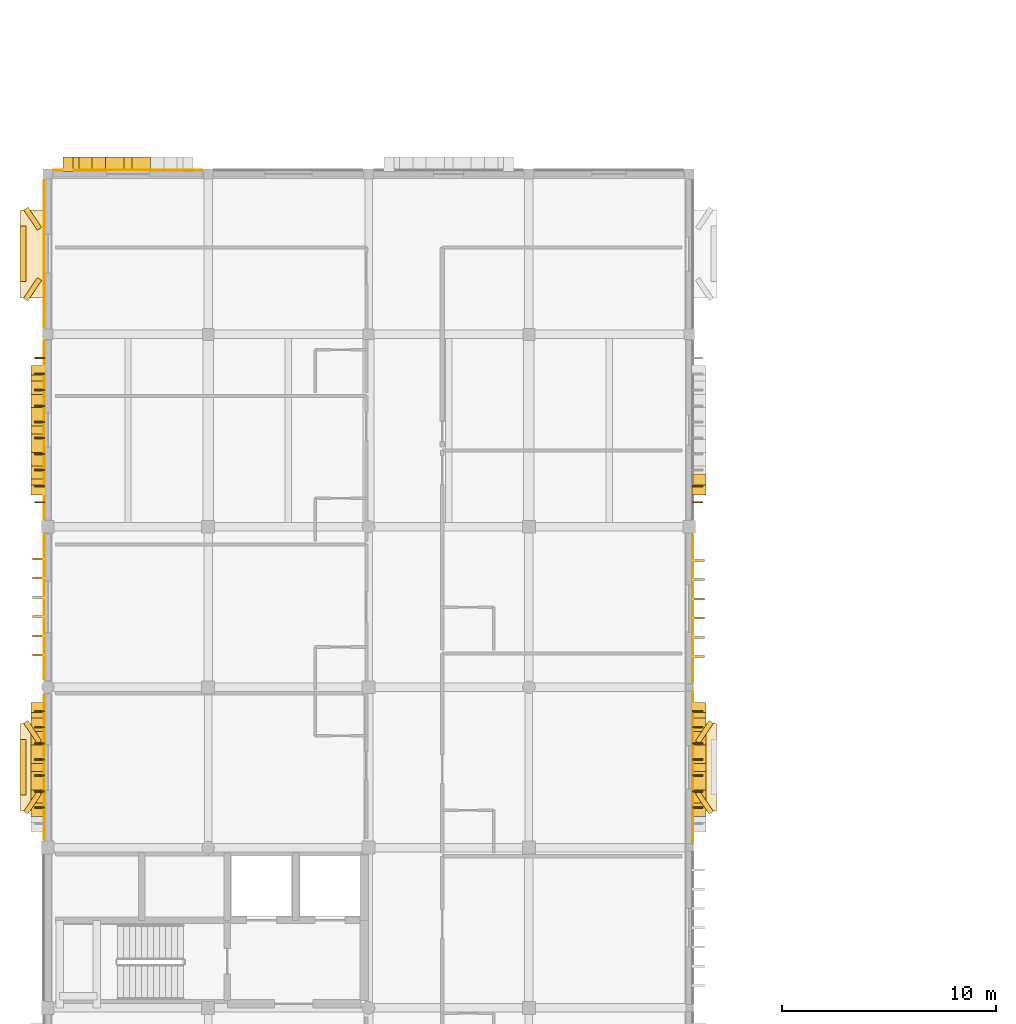
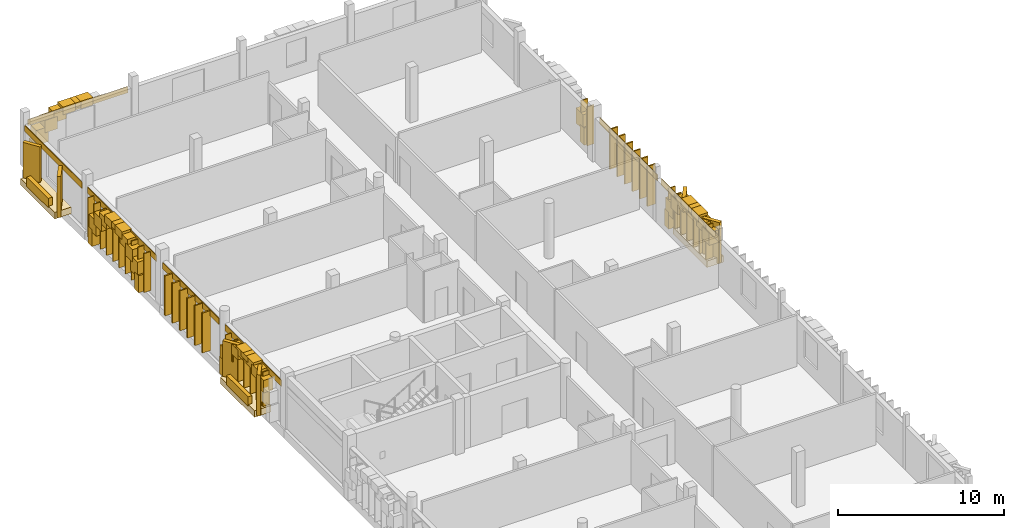
# One storey, part 29 of 33: 68 coverings, 26 shading devices.
"""IFC4 building model written with IfcOpenShell, lengths in metres."""

from ifc_helpers import new_model, si_unit, direction, frame, origin, origin_2d, place, context, subcontext, project, spatial, rectangle, extrude, material, layer, layer_set, type_object, element, save


model = new_model("IFC4")

# Units and contexts
model_context = context("Model", 3, precision=1e-05, world=origin(), true_north=direction((0.0, 1.0)))
body_context = subcontext(model_context, "Body", "Model", "MODEL_VIEW")
ifc_project = project(units=[si_unit("LENGTHUNIT", "METRE"), si_unit("AREAUNIT", "SQUARE_METRE"), si_unit("VOLUMEUNIT", "CUBIC_METRE"), si_unit("PLANEANGLEUNIT", "RADIAN"), si_unit("MASSUNIT", "GRAM", prefix="KILO")], contexts=[model_context])

# Site, building, storey
site_placement = place(None, origin())
site = spatial("IfcSite", under=ifc_project, at=site_placement, CompositionType="ELEMENT")
building_placement = place(site_placement, origin())
building = spatial("IfcBuilding", under=site, at=building_placement, Name="Dalvernix Boulevard General Hospital", CompositionType="ELEMENT")
storey_placement = place(building_placement, frame((0.0, 0.0, 21.89990234375)))
storey = spatial("IfcBuildingStorey", under=building, at=storey_placement, Name="L05", CompositionType="ELEMENT", Elevation=21.89990234375)

# Coverings
ifc_material_1 = material(Name="Pressed Catalan clay brick and dressed limestone parabolic archivolt", Category="masonry")
ifc_layer_1 = layer(ifc_material_1, 0.419921875)
ifc_layer_set_1 = layer_set([ifc_layer_1], Name="Pressed Catalan clay brick and dressed limestone parabolic archivolt (COV-ARC-01)")
covering_type_1 = type_object("IfcCoveringType", Name="COV-ARC-01", PredefinedType="CLADDING", material=ifc_layer_set_1)
covering_1_placement = place(storey_placement, frame((-0.4599609375, 68.050048828125, 0.0), z_axis=(0.0, 0.0, 1.0), x_axis=(0.0, 1.0, 0.0)))
element("IfcCovering", 1, at=covering_1_placement, inside=storey, type_object=covering_type_1, Name="L05 Catalan parabolic arch impost pier W 0-8-R", PredefinedType="CLADDING", context=body_context, shape_type="SweptSolid", body=[
    extrude(rectangle(XDim=0.4599609375, YDim=0.659912109375, at=origin_2d()), origin(), (0.0, 0.0, 1.0), 1.25),
])
covering_2_placement = place(storey_placement, frame((-0.4599609375, 63.38330078125, 1.77099609375), z_axis=(0.0, 0.0, 1.0), x_axis=(0.0, 1.0, 0.0)))
element("IfcCovering", 2, at=covering_2_placement, inside=storey, type_object=covering_type_1, Name="L05 Catalan parabolic archivolt voussoir W 0-8-2", PredefinedType="CLADDING", context=body_context, shape_type="SweptSolid", body=[
    extrude(rectangle(XDim=0.8623046875, YDim=0.659912109375, at=origin_2d()), origin(), (0.0, 0.0, 1.0), 0.913330078125),
])
covering_3_placement = place(storey_placement, frame((-0.4599609375, 64.005615234375, 2.3046875), z_axis=(0.0, 0.0, 1.0), x_axis=(0.0, 1.0, 0.0)))
element("IfcCovering", 3, at=covering_3_placement, inside=storey, type_object=covering_type_1, Name="L05 Catalan parabolic archivolt voussoir W 0-8-3", PredefinedType="CLADDING", context=body_context, shape_type="SweptSolid", body=[
    extrude(rectangle(XDim=0.8623046875, YDim=0.659912109375, at=origin_2d()), origin(), (0.0, 0.0, 1.0), 0.735595703125),
])
covering_4_placement = place(storey_placement, frame((-0.4599609375, 64.627685546875, 2.66015625), z_axis=(0.0, 0.0, 1.0), x_axis=(0.0, 1.0, 0.0)))
element("IfcCovering", 4, at=covering_4_placement, inside=storey, type_object=covering_type_1, Name="L05 Catalan parabolic archivolt voussoir W 0-8-4", PredefinedType="CLADDING", context=body_context, shape_type="SweptSolid", body=[
    extrude(rectangle(XDim=0.8623046875, YDim=0.659912109375, at=origin_2d()), origin(), (0.0, 0.0, 1.0), 0.557861328125),
])
covering_5_placement = place(storey_placement, frame((-0.4599609375, 65.25, 2.837890625), z_axis=(0.0, 0.0, 1.0), x_axis=(0.0, 1.0, 0.0)))
element("IfcCovering", 5, at=covering_5_placement, inside=storey, type_object=covering_type_1, Name="L05 Catalan parabolic archivolt voussoir W 0-8-5", PredefinedType="CLADDING", context=body_context, shape_type="SweptSolid", body=[
    extrude(rectangle(XDim=0.8623046875, YDim=0.659912109375, at=origin_2d()), origin(), (0.0, 0.0, 1.0), 0.3798828125),
])
covering_6_placement = place(storey_placement, frame((-0.4599609375, 65.872314453125, 2.66015625), z_axis=(0.0, 0.0, 1.0), x_axis=(0.0, 1.0, 0.0)))
element("IfcCovering", 6, at=covering_6_placement, inside=storey, type_object=covering_type_1, Name="L05 Catalan parabolic archivolt voussoir W 0-8-6", PredefinedType="CLADDING", context=body_context, shape_type="SweptSolid", body=[
    extrude(rectangle(XDim=0.8623046875, YDim=0.659912109375, at=origin_2d()), origin(), (0.0, 0.0, 1.0), 0.557861328125),
])
covering_7_placement = place(storey_placement, frame((-0.4599609375, 66.494384765625, 2.3046875), z_axis=(0.0, 0.0, 1.0), x_axis=(0.0, 1.0, 0.0)))
element("IfcCovering", 7, at=covering_7_placement, inside=storey, type_object=covering_type_1, Name="L05 Catalan parabolic archivolt voussoir W 0-8-7", PredefinedType="CLADDING", context=body_context, shape_type="SweptSolid", body=[
    extrude(rectangle(XDim=0.8623046875, YDim=0.659912109375, at=origin_2d()), origin(), (0.0, 0.0, 1.0), 0.735595703125),
])
covering_8_placement = place(storey_placement, frame((-0.4599609375, 67.11669921875, 1.77099609375), z_axis=(0.0, 0.0, 1.0), x_axis=(0.0, 1.0, 0.0)))
element("IfcCovering", 8, at=covering_8_placement, inside=storey, type_object=covering_type_1, Name="L05 Catalan parabolic archivolt voussoir W 0-8-8", PredefinedType="CLADDING", context=body_context, shape_type="SweptSolid", body=[
    extrude(rectangle(XDim=0.8623046875, YDim=0.659912109375, at=origin_2d()), origin(), (0.0, 0.0, 1.0), 0.913330078125),
])
covering_9_placement = place(storey_placement, frame((-0.4599609375, 67.739013671875, 1.06005859375), z_axis=(0.0, 0.0, 1.0), x_axis=(0.0, 1.0, 0.0)))
element("IfcCovering", 9, at=covering_9_placement, inside=storey, type_object=covering_type_1, Name="L05 Catalan parabolic archivolt voussoir W 0-8-9", PredefinedType="CLADDING", context=body_context, shape_type="SweptSolid", body=[
    extrude(rectangle(XDim=0.8623046875, YDim=0.659912109375, at=origin_2d()), origin(), (0.0, 0.0, 1.0), 1.091064453125),
])
for number, where, z_axis, x_axis, name in (
    (10, (-0.4599609375, 78.22509765625, 0.0), (0.0, 0.0, 1.0), (0.0, 1.0, 0.0), "L05 Catalan parabolic arch impost pier W 0-10-L"),
    (11, (-0.4599609375, 83.824951171875, 0.0), (0.0, 0.0, 1.0), (0.0, 1.0, 0.0), "L05 Catalan parabolic arch impost pier W 0-10-R"),
):
    element("IfcCovering", number, at=place(storey_placement, frame(where, z_axis=z_axis, x_axis=x_axis)), inside=storey, type_object=covering_type_1, Name=name, PredefinedType="CLADDING", context=body_context, shape_type="SweptSolid", body=[
        extrude(rectangle(XDim=0.4599609375, YDim=0.659912109375, at=origin_2d()), origin(), (0.0, 0.0, 1.0), 1.25),
    ])
covering_10_placement = place(storey_placement, frame((-0.4599609375, 78.5361328125, 1.06005859375), z_axis=(0.0, 0.0, 1.0), x_axis=(0.0, 1.0, 0.0)))
element("IfcCovering", 12, at=covering_10_placement, inside=storey, type_object=covering_type_1, Name="L05 Catalan parabolic archivolt voussoir W 0-10-1", PredefinedType="CLADDING", context=body_context, shape_type="SweptSolid", body=[
    extrude(rectangle(XDim=0.8623046875, YDim=0.659912109375, at=origin_2d()), origin(), (0.0, 0.0, 1.0), 1.11083984375),
])
covering_11_placement = place(storey_placement, frame((-0.4599609375, 79.158203125, 1.791015625), z_axis=(0.0, 0.0, 1.0), x_axis=(0.0, 1.0, 0.0)))
element("IfcCovering", 13, at=covering_11_placement, inside=storey, type_object=covering_type_1, Name="L05 Catalan parabolic archivolt voussoir W 0-10-2", PredefinedType="CLADDING", context=body_context, shape_type="SweptSolid", body=[
    extrude(rectangle(XDim=0.8623046875, YDim=0.659912109375, at=origin_2d()), origin(), (0.0, 0.0, 1.0), 0.927978515625),
])
covering_12_placement = place(storey_placement, frame((-0.4599609375, 79.780517578125, 2.33935546875), z_axis=(0.0, 0.0, 1.0), x_axis=(0.0, 1.0, 0.0)))
element("IfcCovering", 14, at=covering_12_placement, inside=storey, type_object=covering_type_1, Name="L05 Catalan parabolic archivolt voussoir W 0-10-3", PredefinedType="CLADDING", context=body_context, shape_type="SweptSolid", body=[
    extrude(rectangle(XDim=0.8623046875, YDim=0.659912109375, at=origin_2d()), origin(), (0.0, 0.0, 1.0), 0.745361328125),
])
covering_13_placement = place(storey_placement, frame((-0.4599609375, 80.40283203125, 2.70458984375), z_axis=(0.0, 0.0, 1.0), x_axis=(0.0, 1.0, 0.0)))
element("IfcCovering", 15, at=covering_13_placement, inside=storey, type_object=covering_type_1, Name="L05 Catalan parabolic archivolt voussoir W 0-10-4", PredefinedType="CLADDING", context=body_context, shape_type="SweptSolid", body=[
    extrude(rectangle(XDim=0.8623046875, YDim=0.659912109375, at=origin_2d()), origin(), (0.0, 0.0, 1.0), 0.562744140625),
])
covering_14_placement = place(storey_placement, frame((-0.4599609375, 81.02490234375, 2.887451171875), z_axis=(0.0, 0.0, 1.0), x_axis=(0.0, 1.0, 0.0)))
element("IfcCovering", 16, at=covering_14_placement, inside=storey, type_object=covering_type_1, Name="L05 Catalan parabolic archivolt voussoir W 0-10-5", PredefinedType="CLADDING", context=body_context, shape_type="SweptSolid", body=[
    extrude(rectangle(XDim=0.8623046875, YDim=0.659912109375, at=origin_2d()), origin(), (0.0, 0.0, 1.0), 0.3798828125),
])
covering_15_placement = place(storey_placement, frame((-0.4599609375, 81.647216796875, 2.70458984375), z_axis=(0.0, 0.0, 1.0), x_axis=(0.0, 1.0, 0.0)))
element("IfcCovering", 17, at=covering_15_placement, inside=storey, type_object=covering_type_1, Name="L05 Catalan parabolic archivolt voussoir W 0-10-6", PredefinedType="CLADDING", context=body_context, shape_type="SweptSolid", body=[
    extrude(rectangle(XDim=0.8623046875, YDim=0.659912109375, at=origin_2d()), origin(), (0.0, 0.0, 1.0), 0.562744140625),
])
covering_16_placement = place(storey_placement, frame((-0.4599609375, 82.269287109375, 2.33935546875), z_axis=(0.0, 0.0, 1.0), x_axis=(0.0, 1.0, 0.0)))
element("IfcCovering", 18, at=covering_16_placement, inside=storey, type_object=covering_type_1, Name="L05 Catalan parabolic archivolt voussoir W 0-10-7", PredefinedType="CLADDING", context=body_context, shape_type="SweptSolid", body=[
    extrude(rectangle(XDim=0.8623046875, YDim=0.659912109375, at=origin_2d()), origin(), (0.0, 0.0, 1.0), 0.745361328125),
])
covering_17_placement = place(storey_placement, frame((-0.4599609375, 82.8916015625, 1.791015625), z_axis=(0.0, 0.0, 1.0), x_axis=(0.0, 1.0, 0.0)))
element("IfcCovering", 19, at=covering_17_placement, inside=storey, type_object=covering_type_1, Name="L05 Catalan parabolic archivolt voussoir W 0-10-8", PredefinedType="CLADDING", context=body_context, shape_type="SweptSolid", body=[
    extrude(rectangle(XDim=0.8623046875, YDim=0.659912109375, at=origin_2d()), origin(), (0.0, 0.0, 1.0), 0.927978515625),
])
covering_18_placement = place(storey_placement, frame((-0.4599609375, 83.513916015625, 1.06005859375), z_axis=(0.0, 0.0, 1.0), x_axis=(0.0, 1.0, 0.0)))
element("IfcCovering", 20, at=covering_18_placement, inside=storey, type_object=covering_type_1, Name="L05 Catalan parabolic archivolt voussoir W 0-10-9", PredefinedType="CLADDING", context=body_context, shape_type="SweptSolid", body=[
    extrude(rectangle(XDim=0.8623046875, YDim=0.659912109375, at=origin_2d()), origin(), (0.0, 0.0, 1.0), 1.11083984375),
])
covering_19_placement = place(storey_placement, frame((0.949951171875, 93.4599609375, 0.0), z_axis=(0.0, 0.0, 1.0), x_axis=(1.0, 0.0, 0.0)))
element("IfcCovering", 21, at=covering_19_placement, inside=storey, type_object=covering_type_1, Name="L05 Catalan parabolic arch impost pier N 0-12-L", PredefinedType="CLADDING", context=body_context, shape_type="SweptSolid", body=[
    extrude(rectangle(XDim=0.4599609375, YDim=0.659912109375, at=origin_2d()), origin(), (0.0, 0.0, 1.0), 1.25),
])
covering_20_placement = place(storey_placement, frame((1.260986328125, 93.4599609375, 1.06005859375), z_axis=(0.0, 0.0, 1.0), x_axis=(1.0, 0.0, 0.0)))
element("IfcCovering", 22, at=covering_20_placement, inside=storey, type_object=covering_type_1, Name="L05 Catalan parabolic archivolt voussoir N 0-12-1", PredefinedType="CLADDING", context=body_context, shape_type="SweptSolid", body=[
    extrude(rectangle(XDim=0.8623046875, YDim=0.659912109375, at=origin_2d()), origin(), (0.0, 0.0, 1.0), 1.091064453125),
])
covering_21_placement = place(storey_placement, frame((1.88330078125, 93.4599609375, 1.77099609375), z_axis=(0.0, 0.0, 1.0), x_axis=(1.0, 0.0, 0.0)))
element("IfcCovering", 23, at=covering_21_placement, inside=storey, type_object=covering_type_1, Name="L05 Catalan parabolic archivolt voussoir N 0-12-2", PredefinedType="CLADDING", context=body_context, shape_type="SweptSolid", body=[
    extrude(rectangle(XDim=0.8623046875, YDim=0.659912109375, at=origin_2d()), origin(), (0.0, 0.0, 1.0), 0.913330078125),
])
covering_22_placement = place(storey_placement, frame((2.505615234375, 93.4599609375, 2.3046875), z_axis=(0.0, 0.0, 1.0), x_axis=(1.0, 0.0, 0.0)))
element("IfcCovering", 24, at=covering_22_placement, inside=storey, type_object=covering_type_1, Name="L05 Catalan parabolic archivolt voussoir N 0-12-3", PredefinedType="CLADDING", context=body_context, shape_type="SweptSolid", body=[
    extrude(rectangle(XDim=0.8623046875, YDim=0.659912109375, at=origin_2d()), origin(), (0.0, 0.0, 1.0), 0.735595703125),
])
covering_23_placement = place(storey_placement, frame((3.127685546875, 93.4599609375, 2.66015625), z_axis=(0.0, 0.0, 1.0), x_axis=(1.0, 0.0, 0.0)))
element("IfcCovering", 25, at=covering_23_placement, inside=storey, type_object=covering_type_1, Name="L05 Catalan parabolic archivolt voussoir N 0-12-4", PredefinedType="CLADDING", context=body_context, shape_type="SweptSolid", body=[
    extrude(rectangle(XDim=0.8623046875, YDim=0.659912109375, at=origin_2d()), origin(), (0.0, 0.0, 1.0), 0.557861328125),
])
covering_24_placement = place(storey_placement, frame((3.75, 93.4599609375, 2.837890625), z_axis=(0.0, 0.0, 1.0), x_axis=(1.0, 0.0, 0.0)))
element("IfcCovering", 26, at=covering_24_placement, inside=storey, type_object=covering_type_1, Name="L05 Catalan parabolic archivolt voussoir N 0-12-5", PredefinedType="CLADDING", context=body_context, shape_type="SweptSolid", body=[
    extrude(rectangle(XDim=0.8623046875, YDim=0.659912109375, at=origin_2d()), origin(), (0.0, 0.0, 1.0), 0.3798828125),
])
covering_25_placement = place(storey_placement, frame((4.372314453125, 93.4599609375, 2.66015625), z_axis=(0.0, 0.0, 1.0), x_axis=(1.0, 0.0, 0.0)))
element("IfcCovering", 27, at=covering_25_placement, inside=storey, type_object=covering_type_1, Name="L05 Catalan parabolic archivolt voussoir N 0-12-6", PredefinedType="CLADDING", context=body_context, shape_type="SweptSolid", body=[
    extrude(rectangle(XDim=0.8623046875, YDim=0.659912109375, at=origin_2d()), origin(), (0.0, 0.0, 1.0), 0.557861328125),
])
covering_26_placement = place(storey_placement, frame((30.4599609375, 68.050048828125, 0.0), z_axis=(0.0, 0.0, 1.0), x_axis=(0.0, -1.0, 0.0)))
element("IfcCovering", 28, at=covering_26_placement, inside=storey, type_object=covering_type_1, Name="L05 Catalan parabolic arch impost pier E 4-8-L", PredefinedType="CLADDING", context=body_context, shape_type="SweptSolid", body=[
    extrude(rectangle(XDim=0.4599609375, YDim=0.659912109375, at=origin_2d()), origin(), (0.0, 0.0, 1.0), 1.25),
])
covering_27_placement = place(storey_placement, frame((30.4599609375, 67.739013671875, 1.06005859375), z_axis=(0.0, 0.0, 1.0), x_axis=(0.0, -1.0, 0.0)))
element("IfcCovering", 29, at=covering_27_placement, inside=storey, type_object=covering_type_1, Name="L05 Catalan parabolic archivolt voussoir E 4-8-1", PredefinedType="CLADDING", context=body_context, shape_type="SweptSolid", body=[
    extrude(rectangle(XDim=0.8623046875, YDim=0.659912109375, at=origin_2d()), origin(), (0.0, 0.0, 1.0), 1.091064453125),
])
covering_28_placement = place(storey_placement, frame((30.4599609375, 67.11669921875, 1.77099609375), z_axis=(0.0, 0.0, 1.0), x_axis=(0.0, -1.0, 0.0)))
element("IfcCovering", 30, at=covering_28_placement, inside=storey, type_object=covering_type_1, Name="L05 Catalan parabolic archivolt voussoir E 4-8-2", PredefinedType="CLADDING", context=body_context, shape_type="SweptSolid", body=[
    extrude(rectangle(XDim=0.8623046875, YDim=0.659912109375, at=origin_2d()), origin(), (0.0, 0.0, 1.0), 0.913330078125),
])
covering_29_placement = place(storey_placement, frame((30.4599609375, 66.494384765625, 2.3046875), z_axis=(0.0, 0.0, 1.0), x_axis=(0.0, -1.0, 0.0)))
element("IfcCovering", 31, at=covering_29_placement, inside=storey, type_object=covering_type_1, Name="L05 Catalan parabolic archivolt voussoir E 4-8-3", PredefinedType="CLADDING", context=body_context, shape_type="SweptSolid", body=[
    extrude(rectangle(XDim=0.8623046875, YDim=0.659912109375, at=origin_2d()), origin(), (0.0, 0.0, 1.0), 0.735595703125),
])
covering_30_placement = place(storey_placement, frame((30.4599609375, 65.872314453125, 2.66015625), z_axis=(0.0, 0.0, 1.0), x_axis=(0.0, -1.0, 0.0)))
element("IfcCovering", 32, at=covering_30_placement, inside=storey, type_object=covering_type_1, Name="L05 Catalan parabolic archivolt voussoir E 4-8-4", PredefinedType="CLADDING", context=body_context, shape_type="SweptSolid", body=[
    extrude(rectangle(XDim=0.8623046875, YDim=0.659912109375, at=origin_2d()), origin(), (0.0, 0.0, 1.0), 0.557861328125),
])
covering_31_placement = place(storey_placement, frame((30.4599609375, 65.25, 2.837890625), z_axis=(0.0, 0.0, 1.0), x_axis=(0.0, -1.0, 0.0)))
element("IfcCovering", 33, at=covering_31_placement, inside=storey, type_object=covering_type_1, Name="L05 Catalan parabolic archivolt voussoir E 4-8-5", PredefinedType="CLADDING", context=body_context, shape_type="SweptSolid", body=[
    extrude(rectangle(XDim=0.8623046875, YDim=0.659912109375, at=origin_2d()), origin(), (0.0, 0.0, 1.0), 0.3798828125),
])
covering_32_placement = place(storey_placement, frame((30.4599609375, 64.627685546875, 2.66015625), z_axis=(0.0, 0.0, 1.0), x_axis=(0.0, -1.0, 0.0)))
element("IfcCovering", 34, at=covering_32_placement, inside=storey, type_object=covering_type_1, Name="L05 Catalan parabolic archivolt voussoir E 4-8-6", PredefinedType="CLADDING", context=body_context, shape_type="SweptSolid", body=[
    extrude(rectangle(XDim=0.8623046875, YDim=0.659912109375, at=origin_2d()), origin(), (0.0, 0.0, 1.0), 0.557861328125),
])
covering_33_placement = place(storey_placement, frame((30.4599609375, 64.005615234375, 2.3046875), z_axis=(0.0, 0.0, 1.0), x_axis=(0.0, -1.0, 0.0)))
element("IfcCovering", 35, at=covering_33_placement, inside=storey, type_object=covering_type_1, Name="L05 Catalan parabolic archivolt voussoir E 4-8-7", PredefinedType="CLADDING", context=body_context, shape_type="SweptSolid", body=[
    extrude(rectangle(XDim=0.8623046875, YDim=0.659912109375, at=origin_2d()), origin(), (0.0, 0.0, 1.0), 0.735595703125),
])
covering_34_placement = place(storey_placement, frame((30.4599609375, 63.38330078125, 1.77099609375), z_axis=(0.0, 0.0, 1.0), x_axis=(0.0, -1.0, 0.0)))
element("IfcCovering", 36, at=covering_34_placement, inside=storey, type_object=covering_type_1, Name="L05 Catalan parabolic archivolt voussoir E 4-8-8", PredefinedType="CLADDING", context=body_context, shape_type="SweptSolid", body=[
    extrude(rectangle(XDim=0.8623046875, YDim=0.659912109375, at=origin_2d()), origin(), (0.0, 0.0, 1.0), 0.913330078125),
])
covering_35_placement = place(storey_placement, frame((30.4599609375, 78.22509765625, 0.0), z_axis=(0.0, 0.0, 1.0), x_axis=(0.0, -1.0, 0.0)))
element("IfcCovering", 37, at=covering_35_placement, inside=storey, type_object=covering_type_1, Name="L05 Catalan parabolic arch impost pier E 4-10-R", PredefinedType="CLADDING", context=body_context, shape_type="SweptSolid", body=[
    extrude(rectangle(XDim=0.4599609375, YDim=0.659912109375, at=origin_2d()), origin(), (0.0, 0.0, 1.0), 1.25),
])
covering_36_placement = place(storey_placement, frame((30.4599609375, 78.5361328125, 1.06005859375), z_axis=(0.0, 0.0, 1.0), x_axis=(0.0, -1.0, 0.0)))
element("IfcCovering", 38, at=covering_36_placement, inside=storey, type_object=covering_type_1, Name="L05 Catalan parabolic archivolt voussoir E 4-10-9", PredefinedType="CLADDING", context=body_context, shape_type="SweptSolid", body=[
    extrude(rectangle(XDim=0.8623046875, YDim=0.659912109375, at=origin_2d()), origin(), (0.0, 0.0, 1.0), 1.11083984375),
])
ifc_material_2 = material(Name="Polychrome glazed Catalan trencadis ceramic faceted bay spandrel")
ifc_layer_2 = layer(ifc_material_2, 0.280029296875)
ifc_layer_set_2 = layer_set([ifc_layer_2], Name="Polychrome glazed Catalan trencadis ceramic faceted bay spandrel (COV-BAY-01)")
covering_type_2 = type_object("IfcCoveringType", Name="COV-BAY-01", PredefinedType="CLADDING", material=ifc_layer_set_2)
covering_37_placement = place(storey_placement, frame((-1.159912109375, 65.25, 0.38037109375), z_axis=(0.0, 0.0, 1.0), x_axis=(0.0, 1.0, 0.0)))
element("IfcCovering", 39, at=covering_37_placement, inside=storey, type_object=covering_type_2, Name="L05 projecting faceted trencadis bay spandrel W 0-8", PredefinedType="CLADDING", context=body_context, shape_type="SweptSolid", body=[
    extrude(rectangle(XDim=2.60009765625, YDim=0.280029296875, at=origin_2d()), origin(), (0.0, 0.0, 1.0), 0.679931640625),
])
for number, where, z_axis, x_axis, name in (
    (40, (-0.7099609375, 63.60009765625, 0.080078125), (0.0, 0.0, 1.0), (0.559192903471, 0.829037572555, 0.0), "L05 projecting faceted Catalan bay cheek W 0-8-L"),
    (41, (-0.7099609375, 66.89990234375, 0.080078125), (0.0, 0.0, 1.0), (-0.559192903471, 0.829037572555, 0.0), "L05 projecting faceted Catalan bay cheek W 0-8-R"),
):
    element("IfcCovering", number, at=place(storey_placement, frame(where, z_axis=z_axis, x_axis=x_axis)), inside=storey, type_object=covering_type_2, Name=name, PredefinedType="CLADDING", context=body_context, shape_type="SweptSolid", body=[
        extrude(rectangle(XDim=1.14990234375, YDim=0.239990234375, at=origin_2d()), origin(), (0.0, 0.0, 1.0), 3.010009765625),
    ])
covering_38_placement = place(storey_placement, frame((-1.159912109375, 89.262451171875, 0.38037109375), z_axis=(0.0, 0.0, 1.0), x_axis=(0.0, 1.0, 0.0)))
element("IfcCovering", 42, at=covering_38_placement, inside=storey, type_object=covering_type_2, Name="L05 projecting faceted trencadis bay spandrel W 0-11", PredefinedType="CLADDING", context=body_context, shape_type="SweptSolid", body=[
    extrude(rectangle(XDim=2.60009765625, YDim=0.280029296875, at=origin_2d()), origin(), (0.0, 0.0, 1.0), 0.679931640625),
])
for number, where, z_axis, x_axis, name in (
    (43, (-0.7099609375, 87.612548828125, 0.080078125), (0.0, 0.0, 1.0), (0.559192903471, 0.829037572555, 0.0), "L05 projecting faceted Catalan bay cheek W 0-11-L"),
    (44, (-0.7099609375, 90.91259765625, 0.080078125), (0.0, 0.0, 1.0), (-0.559192903471, 0.829037572555, 0.0), "L05 projecting faceted Catalan bay cheek W 0-11-R"),
    (45, (30.7099609375, 66.89990234375, 0.080078125), (0.0, 0.0, 1.0), (-0.559192903471, -0.829037572555, 0.0), "L05 projecting faceted Catalan bay cheek E 4-8-L"),
    (46, (30.7099609375, 63.60009765625, 0.080078125), (0.0, 0.0, 1.0), (0.559192903471, -0.829037572555, 0.0), "L05 projecting faceted Catalan bay cheek E 4-8-R"),
):
    element("IfcCovering", number, at=place(storey_placement, frame(where, z_axis=z_axis, x_axis=x_axis)), inside=storey, type_object=covering_type_2, Name=name, PredefinedType="CLADDING", context=body_context, shape_type="SweptSolid", body=[
        extrude(rectangle(XDim=1.14990234375, YDim=0.239990234375, at=origin_2d()), origin(), (0.0, 0.0, 1.0), 3.010009765625),
    ])
ifc_material_3 = material(Name="Polychrome Catalan glazed ceramic spandrel tile panel")
ifc_layer_3 = layer(ifc_material_3, 0.044921875)
ifc_layer_set_3 = layer_set([ifc_layer_3], Name="Polychrome Catalan glazed ceramic spandrel tile panel (COV-CLD-01)")
covering_type_3 = type_object("IfcCoveringType", Name="COV-CLD-01", PredefinedType="CLADDING", material=ifc_layer_set_3)
for number, where, z_axis, x_axis, name in (
    (47, (-0.169921875, 65.25, 2.6953125), (0.0, 0.0, 1.0), (0.0, 1.0, 0.0), "L05 polychrome ceramic spandrel W 0-8"),
    (48, (-0.169921875, 72.75, 2.6953125), (0.0, 0.0, 1.0), (0.0, 1.0, 0.0), "L05 polychrome ceramic spandrel W 0-9"),
):
    element("IfcCovering", number, at=place(storey_placement, frame(where, z_axis=z_axis, x_axis=x_axis)), inside=storey, type_object=covering_type_3, Name=name, PredefinedType="CLADDING", context=body_context, shape_type="SweptSolid", body=[
        extrude(rectangle(XDim=6.780029296875, YDim=0.044921875, at=origin_2d()), origin(), (0.0, 0.0, 1.0), 0.449951171875),
    ])
covering_39_placement = place(storey_placement, frame((-0.169921875, 81.02490234375, 2.7451171875), z_axis=(0.0, 0.0, 1.0), x_axis=(0.0, 1.0, 0.0)))
element("IfcCovering", 49, at=covering_39_placement, inside=storey, type_object=covering_type_3, Name="L05 polychrome ceramic spandrel W 0-10", PredefinedType="CLADDING", context=body_context, shape_type="SweptSolid", body=[
    extrude(rectangle(XDim=8.330078125, YDim=0.044921875, at=origin_2d()), origin(), (0.0, 0.0, 1.0), 0.449951171875),
])
covering_40_placement = place(storey_placement, frame((3.75, 93.169921875, 2.6953125), z_axis=(0.0, 0.0, 1.0), x_axis=(1.0, 0.0, 0.0)))
element("IfcCovering", 50, at=covering_40_placement, inside=storey, type_object=covering_type_3, Name="L05 polychrome ceramic spandrel N 0-12", PredefinedType="CLADDING", context=body_context, shape_type="SweptSolid", body=[
    extrude(rectangle(XDim=6.929931640625, YDim=0.044921875, at=origin_2d()), origin(), (0.0, 0.0, 1.0), 0.449951171875),
])
covering_41_placement = place(storey_placement, frame((-0.169921875, 89.262451171875, 2.6953125), z_axis=(0.0, 0.0, 1.0), x_axis=(0.0, 1.0, 0.0)))
element("IfcCovering", 51, at=covering_41_placement, inside=storey, type_object=covering_type_3, Name="L05 polychrome ceramic spandrel W 0-11", PredefinedType="CLADDING", context=body_context, shape_type="SweptSolid", body=[
    extrude(rectangle(XDim=6.905029296875, YDim=0.044921875, at=origin_2d()), origin(), (0.0, 0.0, 1.0), 0.449951171875),
])
covering_42_placement = place(storey_placement, frame((30.169921875, 65.25, 2.6953125), z_axis=(0.0, 0.0, 1.0), x_axis=(0.0, -1.0, 0.0)))
element("IfcCovering", 52, at=covering_42_placement, inside=storey, type_object=covering_type_3, Name="L05 polychrome ceramic spandrel E 4-8", PredefinedType="CLADDING", context=body_context, shape_type="SweptSolid", body=[
    extrude(rectangle(XDim=7.06005859375, YDim=0.044921875, at=origin_2d()), origin(), (0.0, 0.0, 1.0), 0.449951171875),
])
covering_43_placement = place(storey_placement, frame((30.169921875, 72.679931640625, 2.6953125), z_axis=(0.0, 0.0, 1.0), x_axis=(0.0, -1.0, 0.0)))
element("IfcCovering", 53, at=covering_43_placement, inside=storey, type_object=covering_type_3, Name="L05 polychrome ceramic spandrel E 4-9", PredefinedType="CLADDING", context=body_context, shape_type="SweptSolid", body=[
    extrude(rectangle(XDim=6.919921875, YDim=0.044921875, at=origin_2d()), origin(), (0.0, 0.0, 1.0), 0.449951171875),
])
ifc_material_4 = material(Name="Dressed ochre limestone classical plinth, stringcourse and corbelled cornice", Category="masonry")
ifc_layer_4 = layer(ifc_material_4, 0.449951171875)
ifc_layer_set_4 = layer_set([ifc_layer_4], Name="Dressed ochre limestone classical plinth, stringcourse and corbelled cornice (COV-CRN-01)")
covering_type_4 = type_object("IfcCoveringType", Name="COV-CRN-01", PredefinedType="CLADDING", material=ifc_layer_set_4)
for number, where, z_axis, x_axis, name in (
    (54, (-0.705078125, 65.25, 0.0), (0.0, 0.0, 1.0), (0.0, 1.0, 0.0), "L05 projecting Catalan bay corbel base W 0-8"),
    (55, (-0.705078125, 89.262451171875, 0.0), (0.0, 0.0, 1.0), (0.0, 1.0, 0.0), "L05 projecting Catalan bay corbel base W 0-11"),
    (56, (30.705078125, 65.25, 0.0), (0.0, 0.0, 1.0), (0.0, -1.0, 0.0), "L05 projecting Catalan bay corbel base E 4-8"),
):
    element("IfcCovering", number, at=place(storey_placement, frame(where, z_axis=z_axis, x_axis=x_axis)), inside=storey, type_object=covering_type_4, Name=name, PredefinedType="CLADDING", context=body_context, shape_type="SweptSolid", body=[
        extrude(rectangle(XDim=4.10009765625, YDim=1.14990234375, at=origin_2d()), origin(), (0.0, 0.0, 1.0), 0.47998046875),
    ])
ifc_material_5 = material(Name="Terracotta-clad iroko timber brise-soleil sun-breaker fin", Category="masonry")
ifc_layer_5 = layer(ifc_material_5, 0.10009765625)
ifc_layer_set_5 = layer_set([ifc_layer_5], Name="Terracotta-clad iroko timber brise-soleil sun-breaker fin (COV-FIN-02)")
covering_type_5 = type_object("IfcCoveringType", Name="COV-FIN-02", PredefinedType="CLADDING", material=ifc_layer_set_5)
for number, where, z_axis, x_axis, name in (
    (57, (-0.419921875, 70.5, 0.1201171875), (0.0, 0.0, 1.0), (0.0, 1.0, 0.0), "L05 terracotta brise-soleil fin W 0-9-1"),
    (58, (-0.419921875, 71.39990234375, 0.1201171875), (0.0, 0.0, 1.0), (0.0, 1.0, 0.0), "L05 terracotta brise-soleil fin W 0-9-2"),
    (59, (-0.419921875, 72.300048828125, 0.1201171875), (0.0, 0.0, 1.0), (0.0, 1.0, 0.0), "L05 terracotta brise-soleil fin W 0-9-3"),
    (60, (-0.419921875, 73.199951171875, 0.1201171875), (0.0, 0.0, 1.0), (0.0, 1.0, 0.0), "L05 terracotta brise-soleil fin W 0-9-4"),
    (61, (-0.419921875, 74.10009765625, 0.1201171875), (0.0, 0.0, 1.0), (0.0, 1.0, 0.0), "L05 terracotta brise-soleil fin W 0-9-5"),
    (62, (-0.419921875, 75.0, 0.1201171875), (0.0, 0.0, 1.0), (0.0, 1.0, 0.0), "L05 terracotta brise-soleil fin W 0-9-6"),
    (63, (30.419921875, 74.929931640625, 0.1201171875), (0.0, 0.0, 1.0), (0.0, -1.0, 0.0), "L05 terracotta brise-soleil fin E 4-9-1"),
    (64, (30.419921875, 74.030029296875, 0.1201171875), (0.0, 0.0, 1.0), (0.0, -1.0, 0.0), "L05 terracotta brise-soleil fin E 4-9-2"),
    (65, (30.419921875, 73.1298828125, 0.1201171875), (0.0, 0.0, 1.0), (0.0, -1.0, 0.0), "L05 terracotta brise-soleil fin E 4-9-3"),
    (66, (30.419921875, 72.22998046875, 0.1201171875), (0.0, 0.0, 1.0), (0.0, -1.0, 0.0), "L05 terracotta brise-soleil fin E 4-9-4"),
    (67, (30.419921875, 71.330078125, 0.1201171875), (0.0, 0.0, 1.0), (0.0, -1.0, 0.0), "L05 terracotta brise-soleil fin E 4-9-5"),
    (68, (30.419921875, 70.429931640625, 0.1201171875), (0.0, 0.0, 1.0), (0.0, -1.0, 0.0), "L05 terracotta brise-soleil fin E 4-9-6"),
):
    element("IfcCovering", number, at=place(storey_placement, frame(where, z_axis=z_axis, x_axis=x_axis)), inside=storey, type_object=covering_type_5, Name=name, PredefinedType="CLADDING", context=body_context, shape_type="SweptSolid", body=[
        extrude(rectangle(XDim=0.10009765625, YDim=0.580078125, at=origin_2d()), origin(), (0.0, 0.0, 1.0), 2.929931640625),
    ])

# Shading devices
ifc_material_6 = material(Name="Preservative-treated West African iroko timber", Category="wood")
shading_device_type = type_object("IfcShadingDeviceType", Name="SHD-FIN-01", PredefinedType="USERDEFINED", material=ifc_material_6)
for number, where, z_axis, x_axis, name in (
    (69, (-0.3798828125, 63.375, 0.17529296875), (0.0, 0.0, 1.0), (0.0, 1.0, 0.0), "L05 iroko brise-soleil fin 2"),
    (70, (-0.3798828125, 64.125, 0.17529296875), (0.0, 0.0, 1.0), (0.0, 1.0, 0.0), "L05 iroko brise-soleil fin 3"),
    (71, (-0.3798828125, 64.875, 0.17529296875), (0.0, 0.0, 1.0), (0.0, 1.0, 0.0), "L05 iroko brise-soleil fin 4"),
    (72, (-0.3798828125, 65.625, 0.17529296875), (0.0, 0.0, 1.0), (0.0, 1.0, 0.0), "L05 iroko brise-soleil fin 5"),
    (73, (-0.3798828125, 66.375, 0.17529296875), (0.0, 0.0, 1.0), (0.0, 1.0, 0.0), "L05 iroko brise-soleil fin 6"),
    (74, (-0.3798828125, 67.125, 0.17529296875), (0.0, 0.0, 1.0), (0.0, 1.0, 0.0), "L05 iroko brise-soleil fin 7"),
    (75, (-0.3798828125, 67.875, 0.17529296875), (0.0, 0.0, 1.0), (0.0, 1.0, 0.0), "L05 iroko brise-soleil fin 8"),
):
    element("IfcShadingDevice", number, at=place(storey_placement, frame(where, z_axis=z_axis, x_axis=x_axis)), inside=storey, type_object=shading_device_type, Name=name, ObjectType="FIN", PredefinedType="USERDEFINED", context=body_context, shape_type="SweptSolid", body=[
        extrude(rectangle(XDim=0.06494140625, YDim=0.47998046875, at=origin_2d()), origin(), (0.0, 0.0, 1.0), 2.820068359375),
    ])
for number, where, z_axis, x_axis, name in (
    (76, (-0.3798828125, 77.64990234375, 0.175048828125), (0.0, 0.0, 1.0), (0.0, 1.0, 0.0), "L05 iroko brise-soleil fin 1"),
    (77, (-0.3798828125, 78.39990234375, 0.175048828125), (0.0, 0.0, 1.0), (0.0, 1.0, 0.0), "L05 iroko brise-soleil fin 2"),
    (78, (-0.3798828125, 79.14990234375, 0.175048828125), (0.0, 0.0, 1.0), (0.0, 1.0, 0.0), "L05 iroko brise-soleil fin 3"),
    (79, (-0.3798828125, 79.89990234375, 0.175048828125), (0.0, 0.0, 1.0), (0.0, 1.0, 0.0), "L05 iroko brise-soleil fin 4"),
    (80, (-0.3798828125, 80.64990234375, 0.175048828125), (0.0, 0.0, 1.0), (0.0, 1.0, 0.0), "L05 iroko brise-soleil fin 5"),
    (81, (-0.3798828125, 81.39990234375, 0.175048828125), (0.0, 0.0, 1.0), (0.0, 1.0, 0.0), "L05 iroko brise-soleil fin 6"),
    (82, (-0.3798828125, 82.14990234375, 0.175048828125), (0.0, 0.0, 1.0), (0.0, 1.0, 0.0), "L05 iroko brise-soleil fin 7"),
    (83, (-0.3798828125, 82.89990234375, 0.175048828125), (0.0, 0.0, 1.0), (0.0, 1.0, 0.0), "L05 iroko brise-soleil fin 8"),
    (84, (-0.3798828125, 83.64990234375, 0.175048828125), (0.0, 0.0, 1.0), (0.0, 1.0, 0.0), "L05 iroko brise-soleil fin 9"),
    (85, (-0.3798828125, 84.39990234375, 0.175048828125), (0.0, 0.0, 1.0), (0.0, 1.0, 0.0), "L05 iroko brise-soleil fin 10"),
):
    element("IfcShadingDevice", number, at=place(storey_placement, frame(where, z_axis=z_axis, x_axis=x_axis)), inside=storey, type_object=shading_device_type, Name=name, ObjectType="FIN", PredefinedType="USERDEFINED", context=body_context, shape_type="SweptSolid", body=[
        extrude(rectangle(XDim=0.06494140625, YDim=0.47998046875, at=origin_2d()), origin(), (0.0, 0.0, 1.0), 2.8701171875),
    ])
for number, where, z_axis, x_axis, name in (
    (86, (30.3798828125, 67.875, 0.17529296875), (0.0, 0.0, 1.0), (0.0, -1.0, 0.0), "L05 iroko brise-soleil fin 1"),
    (87, (30.3798828125, 67.125, 0.17529296875), (0.0, 0.0, 1.0), (0.0, -1.0, 0.0), "L05 iroko brise-soleil fin 2"),
    (88, (30.3798828125, 66.375, 0.17529296875), (0.0, 0.0, 1.0), (0.0, -1.0, 0.0), "L05 iroko brise-soleil fin 3"),
    (89, (30.3798828125, 65.625, 0.17529296875), (0.0, 0.0, 1.0), (0.0, -1.0, 0.0), "L05 iroko brise-soleil fin 4"),
    (90, (30.3798828125, 64.875, 0.17529296875), (0.0, 0.0, 1.0), (0.0, -1.0, 0.0), "L05 iroko brise-soleil fin 5"),
    (91, (30.3798828125, 64.125, 0.17529296875), (0.0, 0.0, 1.0), (0.0, -1.0, 0.0), "L05 iroko brise-soleil fin 6"),
    (92, (30.3798828125, 63.375, 0.17529296875), (0.0, 0.0, 1.0), (0.0, -1.0, 0.0), "L05 iroko brise-soleil fin 7"),
):
    element("IfcShadingDevice", number, at=place(storey_placement, frame(where, z_axis=z_axis, x_axis=x_axis)), inside=storey, type_object=shading_device_type, Name=name, ObjectType="FIN", PredefinedType="USERDEFINED", context=body_context, shape_type="SweptSolid", body=[
        extrude(rectangle(XDim=0.06494140625, YDim=0.47998046875, at=origin_2d()), origin(), (0.0, 0.0, 1.0), 2.820068359375),
    ])
for number, where, z_axis, x_axis, name in (
    (93, (30.3798828125, 78.39990234375, 0.175048828125), (0.0, 0.0, 1.0), (0.0, -1.0, 0.0), "L05 iroko brise-soleil fin 9"),
    (94, (30.3798828125, 77.64990234375, 0.175048828125), (0.0, 0.0, 1.0), (0.0, -1.0, 0.0), "L05 iroko brise-soleil fin 10"),
):
    element("IfcShadingDevice", number, at=place(storey_placement, frame(where, z_axis=z_axis, x_axis=x_axis)), inside=storey, type_object=shading_device_type, Name=name, ObjectType="FIN", PredefinedType="USERDEFINED", context=body_context, shape_type="SweptSolid", body=[
        extrude(rectangle(XDim=0.06494140625, YDim=0.47998046875, at=origin_2d()), origin(), (0.0, 0.0, 1.0), 2.8701171875),
    ])

save(model, "model.ifc")
